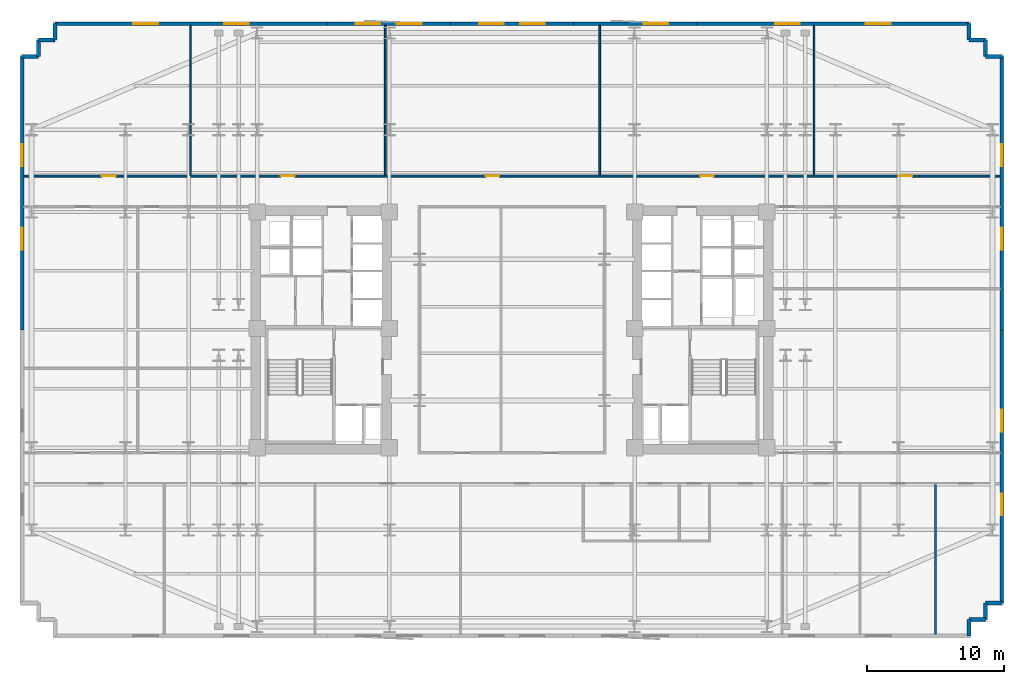
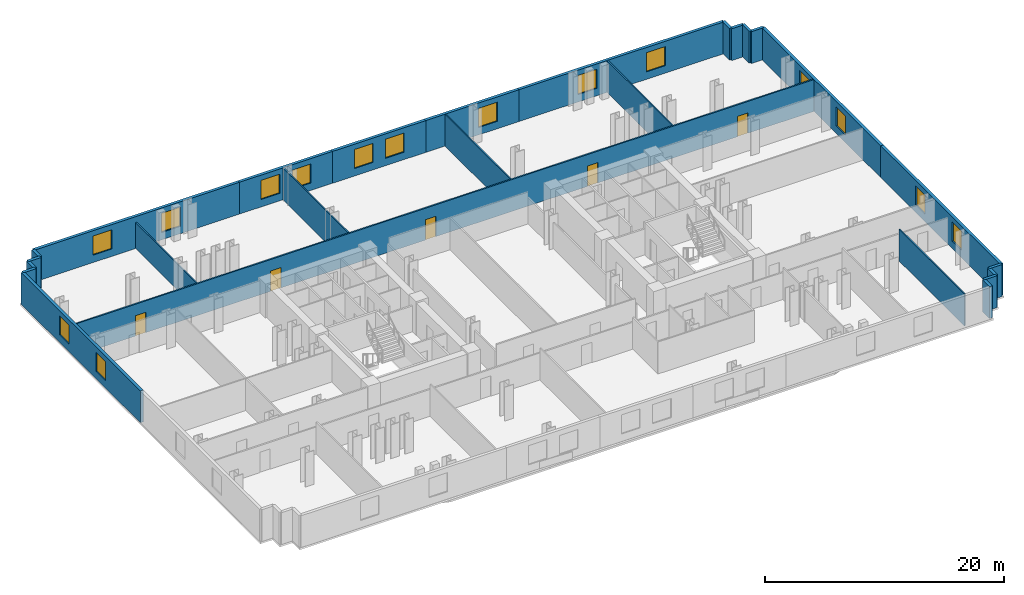
# One storey, part 7 of 10: 26 walls, 15 windows, 5 doors, 20 openings.
"""IFC4 building model written with IfcOpenShell, lengths in metres."""

from ifc_helpers import new_model, si_unit, direction, frame, frame_2d, origin, place, context, subcontext, project, spatial, rectangle, extrude, material, layer, layer_set, type_object, element, fill, save


model = new_model("IFC4")

# Units and contexts
model_context = context("Model", 3, precision=1e-05, world=origin(), true_north=direction((0.0, 1.0)))
body_context = subcontext(model_context, "Body", "Model", "MODEL_VIEW")
ifc_project = project(units=[si_unit("LENGTHUNIT", "METRE"), si_unit("AREAUNIT", "SQUARE_METRE"), si_unit("VOLUMEUNIT", "CUBIC_METRE"), si_unit("PLANEANGLEUNIT", "RADIAN"), si_unit("MASSUNIT", "GRAM", prefix="KILO")], contexts=[model_context])

# Site, building, storey
site_placement = place(None, origin())
site = spatial("IfcSite", under=ifc_project, at=site_placement, CompositionType="ELEMENT")
building_placement = place(site_placement, origin())
building = spatial("IfcBuilding", under=site, at=building_placement, Name="Velakula Bourse", CompositionType="ELEMENT")
storey_placement = place(building_placement, frame((0.0, 0.0, 45.0)))
storey = spatial("IfcBuildingStorey", under=building, at=storey_placement, Name="L11", CompositionType="ELEMENT", Elevation=45.0)

# Wall, openings, windows
ifc_material_1 = material(Name="Red kilned clay facing brick masonry", Category="masonry")
ifc_layer_1 = layer(ifc_material_1, 0.280029296875, Name="Red kilned clay facing brick masonry", Category="masonry")
ifc_layer_set_1 = layer_set([ifc_layer_1], Name="Red kilned clay facing brick masonry")
wall_type_1 = type_object("IfcWallType", Name="WL-EXT-BRK-280", PredefinedType="STANDARD", material=ifc_layer_set_1)
wall_1_placement = place(storey_placement, frame((-33.340087890625, 22.340087890625, 0.0), z_axis=(0.0, 0.0, 1.0), x_axis=(1.0, 0.0, 0.0)))
wall_1 = element("IfcWall", 1, at=wall_1_placement, inside=storey, type_object=wall_type_1, Name="L11 N Brick Spandrel Wall B1", PredefinedType="STANDARD", context=body_context, shape_type="SweptSolid", body=[
    extrude(rectangle(XDim=19.840087890625, YDim=0.280029296875, at=frame_2d((9.919921875, 0.0))), origin(), (0.0, 0.0, 1.0), 3.25),
])
opening_1_placement = place(wall_1_placement, frame((5.71337890625, 0.0, 0.760009765625)))
opening_1 = element("IfcOpeningElement", 2, at=opening_1_placement, cuts=wall_1, Name="Opening W-01", PredefinedType="OPENING", context=body_context, shape_type="SweptSolid", body=[
    extrude(rectangle(XDim=1.800048828125, YDim=1.949951171875, at=frame_2d((0.89990234375, 0.97509765625))), frame((0.0, 0.14990234375, 0.0), z_axis=(0.0, -1.0, 0.0), x_axis=(1.0, 0.0, 0.0)), (0.0, 0.0, 1.0), 0.300048828125),
])
opening_2_placement = place(wall_1_placement, frame((12.32666015625, 0.0, 0.760009765625)))
opening_2 = element("IfcOpeningElement", 3, at=opening_2_placement, cuts=wall_1, Name="Opening W-01", PredefinedType="OPENING", context=body_context, shape_type="SweptSolid", body=[
    extrude(rectangle(XDim=1.800048828125, YDim=1.949951171875, at=frame_2d((0.89990234375, 0.97509765625))), frame((0.0, 0.14990234375, 0.0), z_axis=(0.0, -1.0, 0.0), x_axis=(1.0, 0.0, 0.0)), (0.0, 0.0, 1.0), 0.300048828125),
])
ifc_material_2 = material(Name="Double-glazed solar-control Low-E glass", Category="glass")
window_type_1 = type_object("IfcWindowType", Name="WIN-TWR-1800x2100", PartitioningType="SINGLE_PANEL", PredefinedType="WINDOW", material=ifc_material_2)
window_1_placement = place(opening_1_placement, origin())
window_1 = element("IfcWindow", 4, at=window_1_placement, inside=storey, type_object=window_type_1, Name="L11 Deep-Set Recessed Window 1", OverallHeight=1.949951171875, OverallWidth=1.800048828125, PartitioningType="SINGLE_PANEL", PredefinedType="WINDOW", context=body_context, shape_type="SweptSolid", body=[
    extrude(rectangle(XDim=1.800048828125, YDim=1.949951171875, at=frame_2d((0.89990234375, 0.97509765625))), frame((0.0, 0.030029296875, 0.0), z_axis=(0.0, -1.0, 0.0), x_axis=(1.0, 0.0, 0.0)), (0.0, 0.0, 1.0), 0.06005859375),
])
fill(opening_1, window_1)
window_2_placement = place(opening_2_placement, origin())
window_2 = element("IfcWindow", 5, at=window_2_placement, inside=storey, type_object=window_type_1, Name="L11 Deep-Set Recessed Window 2", OverallHeight=1.949951171875, OverallWidth=1.800048828125, PartitioningType="SINGLE_PANEL", PredefinedType="WINDOW", context=body_context, shape_type="SweptSolid", body=[
    extrude(rectangle(XDim=1.800048828125, YDim=1.949951171875, at=frame_2d((0.89990234375, 0.97509765625))), frame((0.0, 0.030029296875, 0.0), z_axis=(0.0, -1.0, 0.0), x_axis=(1.0, 0.0, 0.0)), (0.0, 0.0, 1.0), 0.06005859375),
])
fill(opening_2, window_2)

wall_2_placement = place(storey_placement, frame((-13.5, 22.340087890625, 0.0), z_axis=(0.0, 0.0, 1.0), x_axis=(1.0, 0.0, 0.0)))
wall_2 = element("IfcWall", 6, at=wall_2_placement, inside=storey, type_object=wall_type_1, Name="L11 N Brick Spandrel Wall B2", PredefinedType="STANDARD", context=body_context, shape_type="SweptSolid", body=[
    extrude(rectangle(XDim=9.0, YDim=0.280029296875, at=frame_2d((4.5, 0.0))), origin(), (0.0, 0.0, 1.0), 3.25),
])
opening_3_placement = place(wall_2_placement, frame((2.10009765625, 0.0, 0.760009765625)))
opening_3 = element("IfcOpeningElement", 7, at=opening_3_placement, cuts=wall_2, Name="Opening W-01", PredefinedType="OPENING", context=body_context, shape_type="SweptSolid", body=[
    extrude(rectangle(XDim=1.800048828125, YDim=1.949951171875, at=frame_2d((0.89990234375, 0.97509765625))), frame((0.0, 0.14990234375, 0.0), z_axis=(0.0, -1.0, 0.0), x_axis=(1.0, 0.0, 0.0)), (0.0, 0.0, 1.0), 0.300048828125),
])
opening_4_placement = place(wall_2_placement, frame((5.10009765625, 0.0, 0.760009765625)))
opening_4 = element("IfcOpeningElement", 8, at=opening_4_placement, cuts=wall_2, Name="Opening W-01", PredefinedType="OPENING", context=body_context, shape_type="SweptSolid", body=[
    extrude(rectangle(XDim=1.800048828125, YDim=1.949951171875, at=frame_2d((0.89990234375, 0.97509765625))), frame((0.0, 0.14990234375, 0.0), z_axis=(0.0, -1.0, 0.0), x_axis=(1.0, 0.0, 0.0)), (0.0, 0.0, 1.0), 0.300048828125),
])
window_3_placement = place(opening_3_placement, origin())
window_3 = element("IfcWindow", 9, at=window_3_placement, inside=storey, type_object=window_type_1, Name="L11 Deep-Set Recessed Window 1", OverallHeight=1.949951171875, OverallWidth=1.800048828125, PartitioningType="SINGLE_PANEL", PredefinedType="WINDOW", context=body_context, shape_type="SweptSolid", body=[
    extrude(rectangle(XDim=1.800048828125, YDim=1.949951171875, at=frame_2d((0.89990234375, 0.97509765625))), frame((0.0, 0.030029296875, 0.0), z_axis=(0.0, -1.0, 0.0), x_axis=(1.0, 0.0, 0.0)), (0.0, 0.0, 1.0), 0.06005859375),
])
fill(opening_3, window_3)
window_4_placement = place(opening_4_placement, origin())
window_4 = element("IfcWindow", 10, at=window_4_placement, inside=storey, type_object=window_type_1, Name="L11 Deep-Set Recessed Window 2", OverallHeight=1.949951171875, OverallWidth=1.800048828125, PartitioningType="SINGLE_PANEL", PredefinedType="WINDOW", context=body_context, shape_type="SweptSolid", body=[
    extrude(rectangle(XDim=1.800048828125, YDim=1.949951171875, at=frame_2d((0.89990234375, 0.97509765625))), frame((0.0, 0.030029296875, 0.0), z_axis=(0.0, -1.0, 0.0), x_axis=(1.0, 0.0, 0.0)), (0.0, 0.0, 1.0), 0.06005859375),
])
fill(opening_4, window_4)

wall_3_placement = place(storey_placement, frame((-4.5, 22.340087890625, 0.0), z_axis=(0.0, 0.0, 1.0), x_axis=(1.0, 0.0, 0.0)))
wall_3 = element("IfcWall", 11, at=wall_3_placement, inside=storey, type_object=wall_type_1, Name="L11 N Brick Spandrel Wall B3", PredefinedType="STANDARD", context=body_context, shape_type="SweptSolid", body=[
    extrude(rectangle(XDim=9.0, YDim=0.280029296875, at=frame_2d((4.5, 0.0))), origin(), (0.0, 0.0, 1.0), 3.25),
])
opening_5_placement = place(wall_3_placement, frame((2.10009765625, 0.0, 0.760009765625)))
opening_5 = element("IfcOpeningElement", 12, at=opening_5_placement, cuts=wall_3, Name="Opening W-01", PredefinedType="OPENING", context=body_context, shape_type="SweptSolid", body=[
    extrude(rectangle(XDim=1.800048828125, YDim=1.949951171875, at=frame_2d((0.89990234375, 0.97509765625))), frame((0.0, 0.14990234375, 0.0), z_axis=(0.0, -1.0, 0.0), x_axis=(1.0, 0.0, 0.0)), (0.0, 0.0, 1.0), 0.300048828125),
])
opening_6_placement = place(wall_3_placement, frame((5.10009765625, 0.0, 0.760009765625)))
opening_6 = element("IfcOpeningElement", 13, at=opening_6_placement, cuts=wall_3, Name="Opening W-01", PredefinedType="OPENING", context=body_context, shape_type="SweptSolid", body=[
    extrude(rectangle(XDim=1.800048828125, YDim=1.949951171875, at=frame_2d((0.89990234375, 0.97509765625))), frame((0.0, 0.14990234375, 0.0), z_axis=(0.0, -1.0, 0.0), x_axis=(1.0, 0.0, 0.0)), (0.0, 0.0, 1.0), 0.300048828125),
])
window_5_placement = place(opening_5_placement, origin())
window_5 = element("IfcWindow", 14, at=window_5_placement, inside=storey, type_object=window_type_1, Name="L11 Deep-Set Recessed Window 1", OverallHeight=1.949951171875, OverallWidth=1.800048828125, PartitioningType="SINGLE_PANEL", PredefinedType="WINDOW", context=body_context, shape_type="SweptSolid", body=[
    extrude(rectangle(XDim=1.800048828125, YDim=1.949951171875, at=frame_2d((0.89990234375, 0.97509765625))), frame((0.0, 0.030029296875, 0.0), z_axis=(0.0, -1.0, 0.0), x_axis=(1.0, 0.0, 0.0)), (0.0, 0.0, 1.0), 0.06005859375),
])
fill(opening_5, window_5)
window_6_placement = place(opening_6_placement, origin())
window_6 = element("IfcWindow", 15, at=window_6_placement, inside=storey, type_object=window_type_1, Name="L11 Deep-Set Recessed Window 2", OverallHeight=1.949951171875, OverallWidth=1.800048828125, PartitioningType="SINGLE_PANEL", PredefinedType="WINDOW", context=body_context, shape_type="SweptSolid", body=[
    extrude(rectangle(XDim=1.800048828125, YDim=1.949951171875, at=frame_2d((0.89990234375, 0.97509765625))), frame((0.0, 0.030029296875, 0.0), z_axis=(0.0, -1.0, 0.0), x_axis=(1.0, 0.0, 0.0)), (0.0, 0.0, 1.0), 0.06005859375),
])
fill(opening_6, window_6)

# Wall, opening, window
wall_4_placement = place(storey_placement, frame((4.5, 22.340087890625, 0.0), z_axis=(0.0, 0.0, 1.0), x_axis=(1.0, 0.0, 0.0)))
wall_4 = element("IfcWall", 16, at=wall_4_placement, inside=storey, type_object=wall_type_1, Name="L11 N Brick Spandrel Wall B4", PredefinedType="STANDARD", context=body_context, shape_type="SweptSolid", body=[
    extrude(rectangle(XDim=9.0, YDim=0.280029296875, at=frame_2d((4.5, 0.0))), origin(), (0.0, 0.0, 1.0), 3.25),
])
opening_7_placement = place(wall_4_placement, frame((5.10009765625, 0.0, 0.760009765625)))
opening_7 = element("IfcOpeningElement", 17, at=opening_7_placement, cuts=wall_4, Name="Opening W-01", PredefinedType="OPENING", context=body_context, shape_type="SweptSolid", body=[
    extrude(rectangle(XDim=1.800048828125, YDim=1.949951171875, at=frame_2d((0.89990234375, 0.97509765625))), frame((0.0, 0.14990234375, 0.0), z_axis=(0.0, -1.0, 0.0), x_axis=(1.0, 0.0, 0.0)), (0.0, 0.0, 1.0), 0.300048828125),
])
window_7_placement = place(opening_7_placement, origin())
window_7 = element("IfcWindow", 18, at=window_7_placement, inside=storey, type_object=window_type_1, Name="L11 Deep-Set Recessed Window 1", OverallHeight=1.949951171875, OverallWidth=1.800048828125, PartitioningType="SINGLE_PANEL", PredefinedType="WINDOW", context=body_context, shape_type="SweptSolid", body=[
    extrude(rectangle(XDim=1.800048828125, YDim=1.949951171875, at=frame_2d((0.89990234375, 0.97509765625))), frame((0.0, 0.030029296875, 0.0), z_axis=(0.0, -1.0, 0.0), x_axis=(1.0, 0.0, 0.0)), (0.0, 0.0, 1.0), 0.06005859375),
])
fill(opening_7, window_7)

# Wall, openings, windows
wall_5_placement = place(storey_placement, frame((13.5, 22.340087890625, 0.0), z_axis=(0.0, 0.0, 1.0), x_axis=(1.0, 0.0, 0.0)))
wall_5 = element("IfcWall", 19, at=wall_5_placement, inside=storey, type_object=wall_type_1, Name="L11 N Brick Spandrel Wall B5", PredefinedType="STANDARD", context=body_context, shape_type="SweptSolid", body=[
    extrude(rectangle(XDim=19.840087890625, YDim=0.280029296875, at=frame_2d((9.919921875, 0.0))), origin(), (0.0, 0.0, 1.0), 3.25),
])
opening_8_placement = place(wall_5_placement, frame((5.71337890625, 0.0, 0.760009765625)))
opening_8 = element("IfcOpeningElement", 20, at=opening_8_placement, cuts=wall_5, Name="Opening W-01", PredefinedType="OPENING", context=body_context, shape_type="SweptSolid", body=[
    extrude(rectangle(XDim=1.800048828125, YDim=1.949951171875, at=frame_2d((0.89990234375, 0.97509765625))), frame((0.0, 0.14990234375, 0.0), z_axis=(0.0, -1.0, 0.0), x_axis=(1.0, 0.0, 0.0)), (0.0, 0.0, 1.0), 0.300048828125),
])
opening_9_placement = place(wall_5_placement, frame((12.32666015625, 0.0, 0.760009765625)))
opening_9 = element("IfcOpeningElement", 21, at=opening_9_placement, cuts=wall_5, Name="Opening W-01", PredefinedType="OPENING", context=body_context, shape_type="SweptSolid", body=[
    extrude(rectangle(XDim=1.800048828125, YDim=1.949951171875, at=frame_2d((0.89990234375, 0.97509765625))), frame((0.0, 0.14990234375, 0.0), z_axis=(0.0, -1.0, 0.0), x_axis=(1.0, 0.0, 0.0)), (0.0, 0.0, 1.0), 0.300048828125),
])
window_8_placement = place(opening_8_placement, origin())
window_8 = element("IfcWindow", 22, at=window_8_placement, inside=storey, type_object=window_type_1, Name="L11 Deep-Set Recessed Window 1", OverallHeight=1.949951171875, OverallWidth=1.800048828125, PartitioningType="SINGLE_PANEL", PredefinedType="WINDOW", context=body_context, shape_type="SweptSolid", body=[
    extrude(rectangle(XDim=1.800048828125, YDim=1.949951171875, at=frame_2d((0.89990234375, 0.97509765625))), frame((0.0, 0.030029296875, 0.0), z_axis=(0.0, -1.0, 0.0), x_axis=(1.0, 0.0, 0.0)), (0.0, 0.0, 1.0), 0.06005859375),
])
fill(opening_8, window_8)
window_9_placement = place(opening_9_placement, origin())
window_9 = element("IfcWindow", 23, at=window_9_placement, inside=storey, type_object=window_type_1, Name="L11 Deep-Set Recessed Window 2", OverallHeight=1.949951171875, OverallWidth=1.800048828125, PartitioningType="SINGLE_PANEL", PredefinedType="WINDOW", context=body_context, shape_type="SweptSolid", body=[
    extrude(rectangle(XDim=1.800048828125, YDim=1.949951171875, at=frame_2d((0.89990234375, 0.97509765625))), frame((0.0, 0.030029296875, 0.0), z_axis=(0.0, -1.0, 0.0), x_axis=(1.0, 0.0, 0.0)), (0.0, 0.0, 1.0), 0.06005859375),
])
fill(opening_9, window_9)

wall_6_placement = place(storey_placement, frame((-35.739990234375, 0.0, 0.0), z_axis=(0.0, 0.0, 1.0), x_axis=(0.0, 1.0, 0.0)))
wall_6 = element("IfcWall", 24, at=wall_6_placement, inside=storey, type_object=wall_type_1, Name="L11 W Brick End Wall W2", PredefinedType="STANDARD", context=body_context, shape_type="SweptSolid", body=[
    extrude(rectangle(XDim=19.93994140625, YDim=0.280029296875, at=frame_2d((9.969970703125, 0.0))), origin(), (0.0, 0.0, 1.0), 3.25),
])
opening_10_placement = place(wall_6_placement, frame((5.8466796875, 0.0, 0.760009765625)))
opening_10 = element("IfcOpeningElement", 25, at=opening_10_placement, cuts=wall_6, Name="Opening W-02", PredefinedType="OPENING", context=body_context, shape_type="SweptSolid", body=[
    extrude(rectangle(XDim=1.60009765625, YDim=1.949951171875, at=frame_2d((0.800048828125, 0.97509765625))), frame((0.0, 0.14990234375, 0.0), z_axis=(0.0, -1.0, 0.0), x_axis=(1.0, 0.0, 0.0)), (0.0, 0.0, 1.0), 0.300048828125),
])
opening_11_placement = place(wall_6_placement, frame((11.943359375, 0.0, 0.760009765625)))
opening_11 = element("IfcOpeningElement", 26, at=opening_11_placement, cuts=wall_6, Name="Opening W-02", PredefinedType="OPENING", context=body_context, shape_type="SweptSolid", body=[
    extrude(rectangle(XDim=1.60009765625, YDim=1.949951171875, at=frame_2d((0.800048828125, 0.97509765625))), frame((0.0, 0.14990234375, 0.0), z_axis=(0.0, -1.0, 0.0), x_axis=(1.0, 0.0, 0.0)), (0.0, 0.0, 1.0), 0.300048828125),
])
window_type_2 = type_object("IfcWindowType", Name="WIN-TWR-1600x2100", PartitioningType="SINGLE_PANEL", PredefinedType="WINDOW", material=ifc_material_2)
window_10_placement = place(opening_10_placement, origin())
window_10 = element("IfcWindow", 27, at=window_10_placement, inside=storey, type_object=window_type_2, Name="L11 Deep-Set Recessed Window 1", OverallHeight=1.949951171875, OverallWidth=1.60009765625, PartitioningType="SINGLE_PANEL", PredefinedType="WINDOW", context=body_context, shape_type="SweptSolid", body=[
    extrude(rectangle(XDim=1.60009765625, YDim=1.949951171875, at=frame_2d((0.800048828125, 0.97509765625))), frame((0.0, 0.030029296875, 0.0), z_axis=(0.0, -1.0, 0.0), x_axis=(1.0, 0.0, 0.0)), (0.0, 0.0, 1.0), 0.06005859375),
])
fill(opening_10, window_10)
window_11_placement = place(opening_11_placement, origin())
window_11 = element("IfcWindow", 28, at=window_11_placement, inside=storey, type_object=window_type_2, Name="L11 Deep-Set Recessed Window 2", OverallHeight=1.949951171875, OverallWidth=1.60009765625, PartitioningType="SINGLE_PANEL", PredefinedType="WINDOW", context=body_context, shape_type="SweptSolid", body=[
    extrude(rectangle(XDim=1.60009765625, YDim=1.949951171875, at=frame_2d((0.800048828125, 0.97509765625))), frame((0.0, 0.030029296875, 0.0), z_axis=(0.0, -1.0, 0.0), x_axis=(1.0, 0.0, 0.0)), (0.0, 0.0, 1.0), 0.06005859375),
])
fill(opening_11, window_11)

wall_7_placement = place(storey_placement, frame((35.739990234375, 0.0, 0.0), z_axis=(0.0, 0.0, 1.0), x_axis=(0.0, -1.0, 0.0)))
wall_7 = element("IfcWall", 29, at=wall_7_placement, inside=storey, type_object=wall_type_1, Name="L11 E Brick End Wall W1", PredefinedType="STANDARD", context=body_context, shape_type="SweptSolid", body=[
    extrude(rectangle(XDim=19.93994140625, YDim=0.280029296875, at=frame_2d((9.969970703125, 0.0))), origin(), (0.0, 0.0, 1.0), 3.25),
])
opening_12_placement = place(wall_7_placement, frame((5.8466796875, 0.0, 0.760009765625)))
opening_12 = element("IfcOpeningElement", 30, at=opening_12_placement, cuts=wall_7, Name="Opening W-02", PredefinedType="OPENING", context=body_context, shape_type="SweptSolid", body=[
    extrude(rectangle(XDim=1.60009765625, YDim=1.949951171875, at=frame_2d((0.800048828125, 0.97509765625))), frame((0.0, 0.14990234375, 0.0), z_axis=(0.0, -1.0, 0.0), x_axis=(1.0, 0.0, 0.0)), (0.0, 0.0, 1.0), 0.300048828125),
])
opening_13_placement = place(wall_7_placement, frame((11.943359375, 0.0, 0.760009765625)))
opening_13 = element("IfcOpeningElement", 31, at=opening_13_placement, cuts=wall_7, Name="Opening W-02", PredefinedType="OPENING", context=body_context, shape_type="SweptSolid", body=[
    extrude(rectangle(XDim=1.60009765625, YDim=1.949951171875, at=frame_2d((0.800048828125, 0.97509765625))), frame((0.0, 0.14990234375, 0.0), z_axis=(0.0, -1.0, 0.0), x_axis=(1.0, 0.0, 0.0)), (0.0, 0.0, 1.0), 0.300048828125),
])
window_12_placement = place(opening_12_placement, origin())
window_12 = element("IfcWindow", 32, at=window_12_placement, inside=storey, type_object=window_type_2, Name="L11 Deep-Set Recessed Window 1", OverallHeight=1.949951171875, OverallWidth=1.60009765625, PartitioningType="SINGLE_PANEL", PredefinedType="WINDOW", context=body_context, shape_type="SweptSolid", body=[
    extrude(rectangle(XDim=1.60009765625, YDim=1.949951171875, at=frame_2d((0.800048828125, 0.97509765625))), frame((0.0, 0.030029296875, 0.0), z_axis=(0.0, -1.0, 0.0), x_axis=(1.0, 0.0, 0.0)), (0.0, 0.0, 1.0), 0.06005859375),
])
fill(opening_12, window_12)
window_13_placement = place(opening_13_placement, origin())
window_13 = element("IfcWindow", 33, at=window_13_placement, inside=storey, type_object=window_type_2, Name="L11 Deep-Set Recessed Window 2", OverallHeight=1.949951171875, OverallWidth=1.60009765625, PartitioningType="SINGLE_PANEL", PredefinedType="WINDOW", context=body_context, shape_type="SweptSolid", body=[
    extrude(rectangle(XDim=1.60009765625, YDim=1.949951171875, at=frame_2d((0.800048828125, 0.97509765625))), frame((0.0, 0.030029296875, 0.0), z_axis=(0.0, -1.0, 0.0), x_axis=(1.0, 0.0, 0.0)), (0.0, 0.0, 1.0), 0.06005859375),
])
fill(opening_13, window_13)

wall_8_placement = place(storey_placement, frame((35.739990234375, 19.93994140625, 0.0), z_axis=(0.0, 0.0, 1.0), x_axis=(0.0, -1.0, 0.0)))
wall_8 = element("IfcWall", 34, at=wall_8_placement, inside=storey, type_object=wall_type_1, Name="L11 E Brick End Wall W2", PredefinedType="STANDARD", context=body_context, shape_type="SweptSolid", body=[
    extrude(rectangle(XDim=19.93994140625, YDim=0.280029296875, at=frame_2d((9.969970703125, 0.0))), origin(), (0.0, 0.0, 1.0), 3.25),
])
opening_14_placement = place(wall_8_placement, frame((6.396728515625, 0.0, 0.760009765625)))
opening_14 = element("IfcOpeningElement", 35, at=opening_14_placement, cuts=wall_8, Name="Opening W-02", PredefinedType="OPENING", context=body_context, shape_type="SweptSolid", body=[
    extrude(rectangle(XDim=1.60009765625, YDim=1.949951171875, at=frame_2d((0.800048828125, 0.97509765625))), frame((0.0, 0.14990234375, 0.0), z_axis=(0.0, -1.0, 0.0), x_axis=(1.0, 0.0, 0.0)), (0.0, 0.0, 1.0), 0.300048828125),
])
opening_15_placement = place(wall_8_placement, frame((12.493408203125, 0.0, 0.760009765625)))
opening_15 = element("IfcOpeningElement", 36, at=opening_15_placement, cuts=wall_8, Name="Opening W-02", PredefinedType="OPENING", context=body_context, shape_type="SweptSolid", body=[
    extrude(rectangle(XDim=1.60009765625, YDim=1.949951171875, at=frame_2d((0.800048828125, 0.97509765625))), frame((0.0, 0.14990234375, 0.0), z_axis=(0.0, -1.0, 0.0), x_axis=(1.0, 0.0, 0.0)), (0.0, 0.0, 1.0), 0.300048828125),
])
window_14_placement = place(opening_14_placement, origin())
window_14 = element("IfcWindow", 37, at=window_14_placement, inside=storey, type_object=window_type_2, Name="L11 Deep-Set Recessed Window 1", OverallHeight=1.949951171875, OverallWidth=1.60009765625, PartitioningType="SINGLE_PANEL", PredefinedType="WINDOW", context=body_context, shape_type="SweptSolid", body=[
    extrude(rectangle(XDim=1.60009765625, YDim=1.949951171875, at=frame_2d((0.800048828125, 0.97509765625))), frame((0.0, 0.030029296875, 0.0), z_axis=(0.0, -1.0, 0.0), x_axis=(1.0, 0.0, 0.0)), (0.0, 0.0, 1.0), 0.06005859375),
])
fill(opening_14, window_14)
window_15_placement = place(opening_15_placement, origin())
window_15 = element("IfcWindow", 38, at=window_15_placement, inside=storey, type_object=window_type_2, Name="L11 Deep-Set Recessed Window 2", OverallHeight=1.949951171875, OverallWidth=1.60009765625, PartitioningType="SINGLE_PANEL", PredefinedType="WINDOW", context=body_context, shape_type="SweptSolid", body=[
    extrude(rectangle(XDim=1.60009765625, YDim=1.949951171875, at=frame_2d((0.800048828125, 0.97509765625))), frame((0.0, 0.030029296875, 0.0), z_axis=(0.0, -1.0, 0.0), x_axis=(1.0, 0.0, 0.0)), (0.0, 0.0, 1.0), 0.06005859375),
])
fill(opening_15, window_15)

# Walls
wall_9_placement = place(storey_placement, frame((33.340087890625, -22.340087890625, 0.0), z_axis=(0.0, 0.0, 1.0), x_axis=(0.0, 1.0, 0.0)))
element("IfcWall", 39, at=wall_9_placement, inside=storey, type_object=wall_type_1, Name="L11 Serrated Corner Brick Wall SE-1", PredefinedType="STANDARD", context=body_context, shape_type="SweptSolid", body=[
    extrude(rectangle(XDim=1.2001953125, YDim=0.280029296875, at=frame_2d((0.60009765625, 0.0))), origin(), (0.0, 0.0, 1.0), 3.25),
])
for number, where, z_axis, x_axis, name in (
    (40, (33.340087890625, -21.139892578125, 0.0), (0.0, 0.0, 1.0), (1.0, 0.0, 0.0), "L11 Serrated Corner Brick Wall SE-2"),
    (41, (34.5400390625, -21.139892578125, 0.0), (0.0, 0.0, 1.0), (0.0, 1.0, 0.0), "L11 Serrated Corner Brick Wall SE-3"),
    (42, (34.5400390625, -19.93994140625, 0.0), (0.0, 0.0, 1.0), (1.0, 0.0, 0.0), "L11 Serrated Corner Brick Wall SE-4"),
    (43, (35.739990234375, 19.93994140625, 0.0), (0.0, 0.0, 1.0), (-1.0, 0.0, 0.0), "L11 Serrated Corner Brick Wall NE-1"),
    (44, (34.5400390625, 19.93994140625, 0.0), (0.0, 0.0, 1.0), (0.0, 1.0, 0.0), "L11 Serrated Corner Brick Wall NE-2"),
    (45, (34.5400390625, 21.139892578125, 0.0), (0.0, 0.0, 1.0), (-1.0, 0.0, 0.0), "L11 Serrated Corner Brick Wall NE-3"),
):
    element("IfcWall", number, at=place(storey_placement, frame(where, z_axis=z_axis, x_axis=x_axis)), inside=storey, type_object=wall_type_1, Name=name, PredefinedType="STANDARD", context=body_context, shape_type="SweptSolid", body=[
        extrude(rectangle(XDim=1.199951171875, YDim=0.280029296875, at=frame_2d((0.60009765625, 0.0))), origin(), (0.0, 0.0, 1.0), 3.25),
    ])
for number, where, z_axis, x_axis, name in (
    (46, (33.340087890625, 21.139892578125, 0.0), (0.0, 0.0, 1.0), (0.0, 1.0, 0.0), "L11 Serrated Corner Brick Wall NE-4"),
    (47, (-33.340087890625, 22.340087890625, 0.0), (0.0, 0.0, 1.0), (0.0, -1.0, 0.0), "L11 Serrated Corner Brick Wall NW-1"),
):
    element("IfcWall", number, at=place(storey_placement, frame(where, z_axis=z_axis, x_axis=x_axis)), inside=storey, type_object=wall_type_1, Name=name, PredefinedType="STANDARD", context=body_context, shape_type="SweptSolid", body=[
        extrude(rectangle(XDim=1.2001953125, YDim=0.280029296875, at=frame_2d((0.60009765625, 0.0))), origin(), (0.0, 0.0, 1.0), 3.25),
    ])
for number, where, z_axis, x_axis, name in (
    (48, (-33.340087890625, 21.139892578125, 0.0), (0.0, 0.0, 1.0), (-1.0, 0.0, 0.0), "L11 Serrated Corner Brick Wall NW-2"),
    (49, (-34.5400390625, 21.139892578125, 0.0), (0.0, 0.0, 1.0), (0.0, -1.0, 0.0), "L11 Serrated Corner Brick Wall NW-3"),
    (50, (-34.5400390625, 19.93994140625, 0.0), (0.0, 0.0, 1.0), (-1.0, 0.0, 0.0), "L11 Serrated Corner Brick Wall NW-4"),
):
    element("IfcWall", number, at=place(storey_placement, frame(where, z_axis=z_axis, x_axis=x_axis)), inside=storey, type_object=wall_type_1, Name=name, PredefinedType="STANDARD", context=body_context, shape_type="SweptSolid", body=[
        extrude(rectangle(XDim=1.199951171875, YDim=0.280029296875, at=frame_2d((0.60009765625, 0.0))), origin(), (0.0, 0.0, 1.0), 3.25),
    ])
ifc_material_3 = material(Name="Fire-rated double-layer gypsum drywall partition", Category="gypsum")
ifc_layer_2 = layer(ifc_material_3, 0.1201171875, Name="Fire-rated double-layer gypsum drywall partition", Category="gypsum")
ifc_layer_set_2 = layer_set([ifc_layer_2], Name="Fire-rated double-layer gypsum drywall partition")
wall_type_2 = type_object("IfcWallType", Name="WL-PART-120", PredefinedType="STANDARD", material=ifc_layer_set_2)
wall_10_placement = place(storey_placement, frame((-23.469970703125, 11.2900390625, 0.0), z_axis=(0.0, 0.0, 1.0), x_axis=(0.0, 1.0, 0.0)))
element("IfcWall", 51, at=wall_10_placement, inside=storey, type_object=wall_type_2, Name="L11 Interior Partition WL-INT-L11-N-D1", PredefinedType="STANDARD", context=body_context, shape_type="SweptSolid", body=[
    extrude(rectangle(XDim=10.929931640625, YDim=0.1201171875, at=frame_2d((5.46484375, 0.0))), origin(), (0.0, 0.0, 1.0), 2.64501953125),
])
for number, where, z_axis, x_axis, name in (
    (52, (-9.24609375, 11.2900390625, 0.0), (0.0, 0.0, 1.0), (0.0, 1.0, 0.0), "L11 Interior Partition WL-INT-L11-N-D2"),
    (53, (6.40087890625, 11.2900390625, 0.0), (0.0, 0.0, 1.0), (0.0, 1.0, 0.0), "L11 Interior Partition WL-INT-L11-N-D3"),
    (54, (22.047119140625, 11.2900390625, 0.0), (0.0, 0.0, 1.0), (0.0, 1.0, 0.0), "L11 Interior Partition WL-INT-L11-N-D4"),
    (55, (30.905029296875, -22.219970703125, 0.0), (0.0, 0.0, 1.0), (0.0, 1.0, 0.0), "L11 Interior Partition WL-INT-L11-SR-D10"),
):
    element("IfcWall", number, at=place(storey_placement, frame(where, z_axis=z_axis, x_axis=x_axis)), inside=storey, type_object=wall_type_2, Name=name, PredefinedType="STANDARD", context=body_context, shape_type="SweptSolid", body=[
        extrude(rectangle(XDim=10.929931640625, YDim=0.1201171875, at=frame_2d((5.46484375, 0.0))), origin(), (0.0, 0.0, 1.0), 3.25),
    ])

# Wall, openings, doors
ifc_layer_3 = layer(ifc_material_3, 0.139892578125, Name="Fire-rated double-layer gypsum drywall partition", Category="gypsum")
ifc_layer_set_3 = layer_set([ifc_layer_3], Name="Fire-rated double-layer gypsum drywall partition")
wall_type_3 = type_object("IfcWallType", Name="WL-PART-140", PredefinedType="STANDARD", material=ifc_layer_set_3)
wall_11_placement = place(storey_placement, frame((-35.6201171875, 11.219970703125, 0.0), z_axis=(0.0, 0.0, 1.0), x_axis=(1.0, 0.0, 0.0)))
wall_11 = element("IfcWall", 56, at=wall_11_placement, inside=storey, type_object=wall_type_3, Name="L11 Interior Partition WL-INT-L11-N-CORR", PredefinedType="STANDARD", context=body_context, shape_type="SweptSolid", body=[
    extrude(rectangle(XDim=71.240234375, YDim=0.139892578125, at=frame_2d((35.6201171875, 0.0))), origin(), (0.0, 0.0, 1.0), 3.25),
])
opening_16_placement = place(wall_11_placement, frame((5.700927734375, 0.0, 0.0)))
opening_16 = element("IfcOpeningElement", 57, at=opening_16_placement, cuts=wall_11, Name="Opening D-OF1", PredefinedType="OPENING", context=body_context, shape_type="SweptSolid", body=[
    extrude(rectangle(XDim=1.0, YDim=2.080078125, at=frame_2d((0.5, 1.0400390625))), frame((0.0, 0.079833984375, 0.0), z_axis=(0.0, -1.0, 0.0), x_axis=(1.0, 0.0, 0.0)), (0.0, 0.0, 1.0), 0.159912109375),
])
opening_17_placement = place(wall_11_placement, frame((18.761962890625, 0.0, 0.0)))
opening_17 = element("IfcOpeningElement", 58, at=opening_17_placement, cuts=wall_11, Name="Opening D-OF1", PredefinedType="OPENING", context=body_context, shape_type="SweptSolid", body=[
    extrude(rectangle(XDim=1.0, YDim=2.080078125, at=frame_2d((0.5, 1.0400390625))), frame((0.0, 0.079833984375, 0.0), z_axis=(0.0, -1.0, 0.0), x_axis=(1.0, 0.0, 0.0)), (0.0, 0.0, 1.0), 0.159912109375),
])
opening_18_placement = place(wall_11_placement, frame((33.697509765625, 0.0, 0.0)))
opening_18 = element("IfcOpeningElement", 59, at=opening_18_placement, cuts=wall_11, Name="Opening D-OF1", PredefinedType="OPENING", context=body_context, shape_type="SweptSolid", body=[
    extrude(rectangle(XDim=1.0, YDim=2.080078125, at=frame_2d((0.5, 1.0400390625))), frame((0.0, 0.079833984375, 0.0), z_axis=(0.0, -1.0, 0.0), x_axis=(1.0, 0.0, 0.0)), (0.0, 0.0, 1.0), 0.159912109375),
])
opening_19_placement = place(wall_11_placement, frame((49.343994140625, 0.0, 0.0)))
opening_19 = element("IfcOpeningElement", 60, at=opening_19_placement, cuts=wall_11, Name="Opening D-OF1", PredefinedType="OPENING", context=body_context, shape_type="SweptSolid", body=[
    extrude(rectangle(XDim=1.0, YDim=2.080078125, at=frame_2d((0.5, 1.0400390625))), frame((0.0, 0.079833984375, 0.0), z_axis=(0.0, -1.0, 0.0), x_axis=(1.0, 0.0, 0.0)), (0.0, 0.0, 1.0), 0.159912109375),
])
opening_20_placement = place(wall_11_placement, frame((63.827392578125, 0.0, 0.0)))
opening_20 = element("IfcOpeningElement", 61, at=opening_20_placement, cuts=wall_11, Name="Opening D-OF1", PredefinedType="OPENING", context=body_context, shape_type="SweptSolid", body=[
    extrude(rectangle(XDim=1.0, YDim=2.080078125, at=frame_2d((0.5, 1.0400390625))), frame((0.0, 0.079833984375, 0.0), z_axis=(0.0, -1.0, 0.0), x_axis=(1.0, 0.0, 0.0)), (0.0, 0.0, 1.0), 0.159912109375),
])
ifc_material_4 = material(Name="Fire-rated hardwood flush architectural door", Category="wood")
door_type = type_object("IfcDoorType", Name="DR-OFF-1000", OperationType="NOTDEFINED", PredefinedType="DOOR", material=ifc_material_4)
door_1_placement = place(opening_16_placement, origin())
door_1 = element("IfcDoor", 62, at=door_1_placement, inside=storey, type_object=door_type, Name="L11 Derivatives Dealing Workspace Door", OperationType="SINGLE_SWING_LEFT", OverallHeight=2.080078125, OverallWidth=1.0, PredefinedType="DOOR", context=body_context, shape_type="SweptSolid", body=[
    extrude(rectangle(XDim=1.0, YDim=2.080078125, at=frame_2d((0.5, 1.0400390625))), frame((0.0, 0.02490234375, 0.0), z_axis=(0.0, -1.0, 0.0), x_axis=(1.0, 0.0, 0.0)), (0.0, 0.0, 1.0), 0.050048828125),
])
fill(opening_16, door_1)
door_2_placement = place(opening_17_placement, origin())
door_2 = element("IfcDoor", 63, at=door_2_placement, inside=storey, type_object=door_type, Name="L11 Risk Review Boardroom Door", OperationType="SINGLE_SWING_RIGHT", OverallHeight=2.080078125, OverallWidth=1.0, PredefinedType="DOOR", context=body_context, shape_type="SweptSolid", body=[
    extrude(rectangle(XDim=1.0, YDim=2.080078125, at=frame_2d((0.5, 1.0400390625))), frame((0.0, 0.02490234375, 0.0), z_axis=(0.0, -1.0, 0.0), x_axis=(1.0, 0.0, 0.0)), (0.0, 0.0, 1.0), 0.050048828125),
])
fill(opening_17, door_2)
door_3_placement = place(opening_18_placement, origin())
door_3 = element("IfcDoor", 64, at=door_3_placement, inside=storey, type_object=door_type, Name="L11 Catering Servery Pantry Door", OperationType="SINGLE_SWING_LEFT", OverallHeight=2.080078125, OverallWidth=1.0, PredefinedType="DOOR", context=body_context, shape_type="SweptSolid", body=[
    extrude(rectangle(XDim=1.0, YDim=2.080078125, at=frame_2d((0.5, 1.0400390625))), frame((0.0, 0.02490234375, 0.0), z_axis=(0.0, -1.0, 0.0), x_axis=(1.0, 0.0, 0.0)), (0.0, 0.0, 1.0), 0.050048828125),
])
fill(opening_18, door_3)
door_4_placement = place(opening_19_placement, origin())
door_4 = element("IfcDoor", 65, at=door_4_placement, inside=storey, type_object=door_type, Name="L11 Breakout Dining Lounge Door", OperationType="SINGLE_SWING_RIGHT", OverallHeight=2.080078125, OverallWidth=1.0, PredefinedType="DOOR", context=body_context, shape_type="SweptSolid", body=[
    extrude(rectangle(XDim=1.0, YDim=2.080078125, at=frame_2d((0.5, 1.0400390625))), frame((0.0, 0.02490234375, 0.0), z_axis=(0.0, -1.0, 0.0), x_axis=(1.0, 0.0, 0.0)), (0.0, 0.0, 1.0), 0.050048828125),
])
fill(opening_19, door_4)
door_5_placement = place(opening_20_placement, origin())
door_5 = element("IfcDoor", 66, at=door_5_placement, inside=storey, type_object=door_type, Name="L11 Bullion Assay Office Door", OperationType="SINGLE_SWING_LEFT", OverallHeight=2.080078125, OverallWidth=1.0, PredefinedType="DOOR", context=body_context, shape_type="SweptSolid", body=[
    extrude(rectangle(XDim=1.0, YDim=2.080078125, at=frame_2d((0.5, 1.0400390625))), frame((0.0, 0.02490234375, 0.0), z_axis=(0.0, -1.0, 0.0), x_axis=(1.0, 0.0, 0.0)), (0.0, 0.0, 1.0), 0.050048828125),
])
fill(opening_20, door_5)

save(model, "model.ifc")
